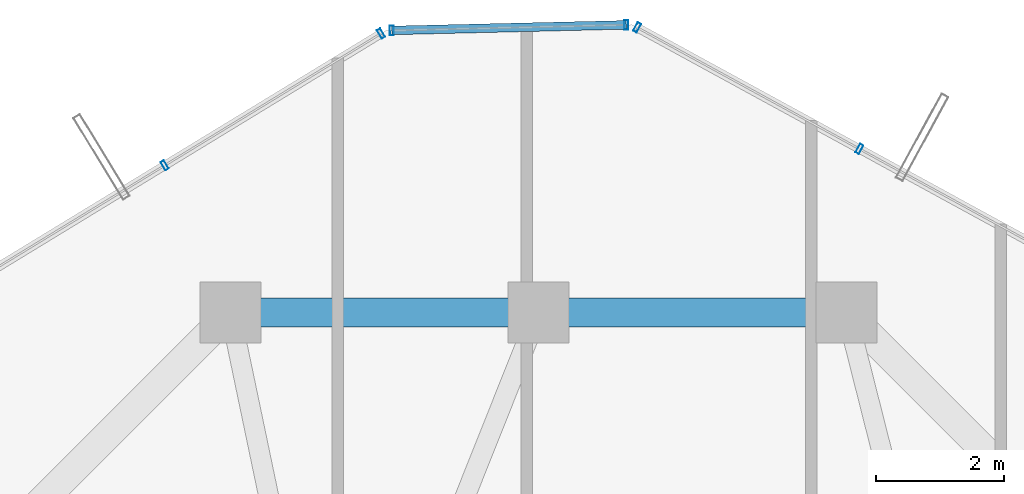
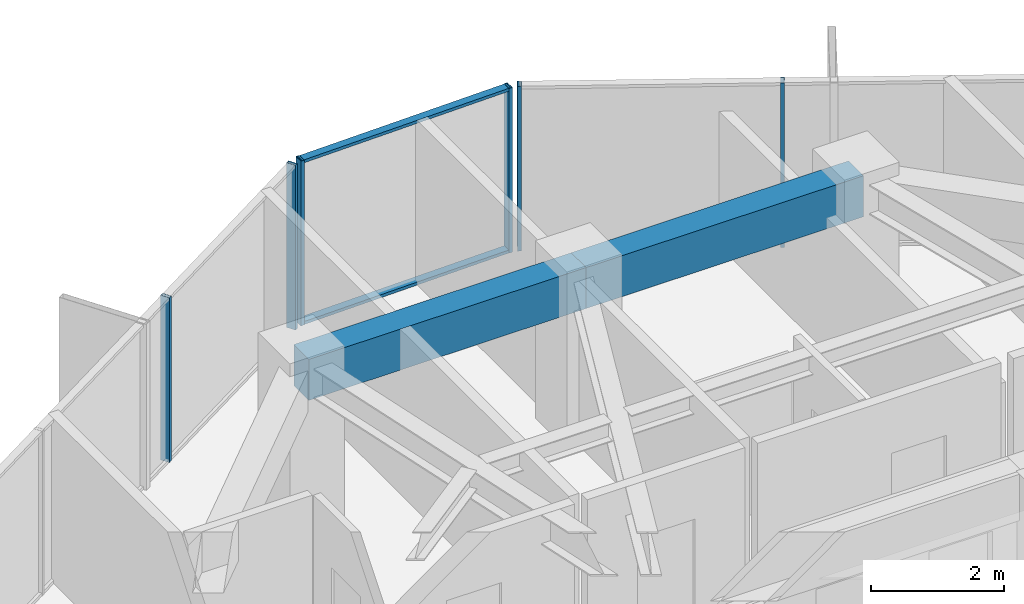
# One storey, part 23 of 32: 8 members, 2 beams, 3 elements without a shape of their own.
"""IFC4 building model written with IfcOpenShell, lengths in metres."""

from ifc_helpers import new_model, si_unit, direction, frame, origin, origin_2d, place, context, subcontext, project, spatial, rectangle, hollow_rectangle, extrude, source, transform, mapped, material, layer, layer_set, material_profile, profile_set, type_object, element, aggregate, save


model = new_model("IFC4")

# Units and contexts
model_context = context("Model", 3, precision=1e-05, world=origin(), true_north=direction((0.0, 1.0)))
body_context = subcontext(model_context, "Body", "Model", "MODEL_VIEW")
ifc_project = project(units=[si_unit("LENGTHUNIT", "METRE"), si_unit("AREAUNIT", "SQUARE_METRE"), si_unit("VOLUMEUNIT", "CUBIC_METRE"), si_unit("PLANEANGLEUNIT", "RADIAN"), si_unit("MASSUNIT", "GRAM", prefix="KILO")], contexts=[model_context])

# Site, building, storey
site_placement = place(None, origin())
site = spatial("IfcSite", under=ifc_project, at=site_placement, CompositionType="ELEMENT")
building_placement = place(site_placement, origin())
building = spatial("IfcBuilding", under=site, at=building_placement, Name="Veraguas Prism Commons", CompositionType="ELEMENT")
storey_placement = place(building_placement, frame((0.0, 0.0, 201.60009765625)))
storey = spatial("IfcBuildingStorey", under=building, at=storey_placement, Name="L57", CompositionType="ELEMENT", Elevation=201.60009765625)

# Beams
ifc_material_1 = material(Name="Concrete C50/60", Category="concrete")
ifc_material_profile_1 = material_profile(ifc_material_1, rectangle(XDim=0.449951171875, YDim=0.75, at=origin_2d()), Name="RC450X750")
ifc_profile_set_1 = profile_set([ifc_material_profile_1], Name="Concrete C50/60")
beam_type = type_object("IfcBeamType", Name="Perimeter Spandrel Upper RC 450x750", PredefinedType="SPANDREL", material=ifc_profile_set_1)
for number, where, z_axis, x_axis, name in (
    (1, (28.800048828125, 38.89990234375, 2.639892578125), (-1.0, 0.0, 0.0), (0.0, -1.0, 0.0), "Perimeter Spandrel Beam L57-SP04"),
    (2, (24.0, 38.89990234375, 2.639892578125), (-1.0, 0.0, 0.0), (0.0, -1.0, 0.0), "Perimeter Spandrel Beam L57-SP05"),
):
    element("IfcBeam", number, at=place(storey_placement, frame(where, z_axis=z_axis, x_axis=x_axis)), inside=storey, type_object=beam_type, Name=name, PredefinedType="SPANDREL", context=body_context, shape_type="SweptSolid", body=[
        extrude(rectangle(XDim=0.449951171875, YDim=0.75, at=origin_2d()), origin(), (0.0, 0.0, 1.0), 4.800048828125),
    ])

# Curtain wall, members
ifc_material_2 = material(Name="Anodised aluminium EN AW-6063 T6", Category="aluminium")
ifc_layer = layer(ifc_material_2, 0.14990234375, Name="Unitised Flush Curtain Wall Zone 3", Category="aluminium")
ifc_layer_set = layer_set([ifc_layer], Name="Anodised aluminium EN AW-6063 T6")
curtain_wall_type = type_object("IfcCurtainWallType", Name="Unitised Flush Curtain Wall Zone 3", PredefinedType="NOTDEFINED", material=ifc_layer_set)
curtain_wall_1_placement = place(storey_placement, origin())
curtain_wall_1 = element("IfcCurtainWall", 3, at=curtain_wall_1_placement, inside=storey, type_object=curtain_wall_type, Name="Tower Facade Curtain Wall L57-F1", PredefinedType="NOTDEFINED")
ifc_material_profile_2 = material_profile(ifc_material_2, hollow_rectangle(XDim=0.06005859375, YDim=0.14990234375, WallThickness=0.0029296875, at=origin_2d()), Name="AL60X150X3")
ifc_profile_set_2 = profile_set([ifc_material_profile_2], Name="Anodised aluminium EN AW-6063 T6")
member_type_1 = type_object("IfcMemberType", Name="Curtain Wall Mullion Upper AL 60x150x3", PredefinedType="MULLION", material=ifc_profile_set_2)
shared_shape_1 = source(origin(), body_context, "Body", "SweptSolid", [
    extrude(hollow_rectangle(XDim=0.06005859375, YDim=0.14990234375, WallThickness=0.0029296875, at=origin_2d()), origin(), (0.0, 0.0, 1.0), 3.014892578125),
])
member_1_placement = place(storey_placement, frame((28.99951171875, 41.448974609375, 0.0), z_axis=(0.0, 0.0, 1.0), x_axis=(-0.877646898441, 0.479307752553, 0.0)))
member_1 = element("IfcMember", 4, at=member_1_placement, type_object=member_type_1, Name="CW-Z3 Mullion 4", PredefinedType="MULLION", context=body_context, shape_type="MappedRepresentation", body=[
    mapped(shared_shape_1, transform((0.0, 0.0, 0.0), scale=1.0)),
])
member_2_placement = place(storey_placement, frame((25.53662109375, 43.340087890625, 0.0), z_axis=(0.0, 0.0, 1.0), x_axis=(-0.877646898441, 0.479307752553, 0.0)))
member_2 = element("IfcMember", 5, at=member_2_placement, type_object=member_type_1, Name="CW-Z3 Mullion 5", PredefinedType="MULLION", context=body_context, shape_type="MappedRepresentation", body=[
    mapped(shared_shape_1, transform((0.0, 0.0, 0.0), scale=1.0)),
])
aggregate(curtain_wall_1, [member_1, member_2])

curtain_wall_2_placement = place(storey_placement, origin())
curtain_wall_2 = element("IfcCurtainWall", 6, at=curtain_wall_2_placement, inside=storey, type_object=curtain_wall_type, Name="Tower Facade Curtain Wall L57-F2", PredefinedType="NOTDEFINED")
member_3_placement = place(storey_placement, frame((21.54736328125, 43.245361328125, 0.0), z_axis=(0.0, 0.0, 1.0), x_axis=(-0.853914322581, -0.520413614052, 0.0)))
member_3 = element("IfcMember", 7, at=member_3_placement, type_object=member_type_1, Name="CW-Z3 Mullion 1", PredefinedType="MULLION", context=body_context, shape_type="MappedRepresentation", body=[
    mapped(shared_shape_1, transform((0.0, 0.0, 0.0), scale=1.0)),
])
member_4_placement = place(storey_placement, frame((18.17822265625, 41.192138671875, 0.0), z_axis=(0.0, 0.0, 1.0), x_axis=(-0.853914322581, -0.520413614052, 0.0)))
member_4 = element("IfcMember", 8, at=member_4_placement, type_object=member_type_1, Name="CW-Z3 Mullion 2", PredefinedType="MULLION", context=body_context, shape_type="MappedRepresentation", body=[
    mapped(shared_shape_1, transform((0.0, 0.0, 0.0), scale=1.0)),
])
aggregate(curtain_wall_2, [member_3, member_4])

curtain_wall_3_placement = place(storey_placement, origin())
curtain_wall_3 = element("IfcCurtainWall", 9, at=curtain_wall_3_placement, inside=storey, type_object=curtain_wall_type, Name="Chamfer Curtain Wall L57-C2", PredefinedType="NOTDEFINED")
member_5_placement = place(storey_placement, frame((25.36767578125, 43.381103515625, 0.0), z_axis=(0.0, 0.0, 1.0), x_axis=(-0.999718012994, -0.023746462815, 0.0)))
member_5 = element("IfcMember", 10, at=member_5_placement, type_object=member_type_1, Name="CW-Z3 Mullion 1", PredefinedType="MULLION", context=body_context, shape_type="MappedRepresentation", body=[
    mapped(shared_shape_1, transform((0.0, 0.0, 0.0), scale=1.0)),
])
member_6_placement = place(storey_placement, frame((21.71435546875, 43.29443359375, 0.0), z_axis=(0.0, 0.0, 1.0), x_axis=(-0.999718012994, -0.023746462815, 0.0)))
member_6 = element("IfcMember", 11, at=member_6_placement, type_object=member_type_1, Name="CW-Z3 Mullion 2", PredefinedType="MULLION", context=body_context, shape_type="MappedRepresentation", body=[
    mapped(shared_shape_1, transform((0.0, 0.0, 0.0), scale=1.0)),
])
ifc_material_profile_3 = material_profile(ifc_material_2, hollow_rectangle(XDim=0.054931640625, YDim=0.135009765625, WallThickness=0.0029296875, at=origin_2d()), Name="AL55X135X3")
ifc_profile_set_3 = profile_set([ifc_material_profile_3], Name="Anodised aluminium EN AW-6063 T6")
member_type_2 = type_object("IfcMemberType", Name="Curtain Wall Transom Standard AL 55x135x3", PredefinedType="USERDEFINED", material=ifc_profile_set_3)
shared_shape_2 = source(origin(), body_context, "Body", "SweptSolid", [
    extrude(hollow_rectangle(XDim=0.054931640625, YDim=0.135009765625, WallThickness=0.0029296875, at=origin_2d()), origin(), (0.0, 0.0, 1.0), 3.654296875),
])
member_7_placement = place(storey_placement, frame((25.36767578125, 43.381103515625, 0.02734375), z_axis=(-0.99971871405, -0.023716930198, 0.0), x_axis=(0.0, 0.0, 1.0)))
member_7 = element("IfcMember", 12, at=member_7_placement, type_object=member_type_2, Name="CW-Z3 Transom 1", ObjectType="TRANSOM", PredefinedType="USERDEFINED", context=body_context, shape_type="MappedRepresentation", body=[
    mapped(shared_shape_2, transform((0.0, 0.0, 0.0), scale=1.0)),
])
member_8_placement = place(storey_placement, frame((25.36767578125, 43.381103515625, 2.9873046875), z_axis=(-0.99971871405, -0.023716930198, 0.0), x_axis=(0.0, 0.0, 1.0)))
member_8 = element("IfcMember", 13, at=member_8_placement, type_object=member_type_2, Name="CW-Z3 Transom 2", ObjectType="TRANSOM", PredefinedType="USERDEFINED", context=body_context, shape_type="MappedRepresentation", body=[
    mapped(shared_shape_2, transform((0.0, 0.0, 0.0), scale=1.0)),
])
aggregate(curtain_wall_3, [member_5, member_6, member_7, member_8])

save(model, "model.ifc")
